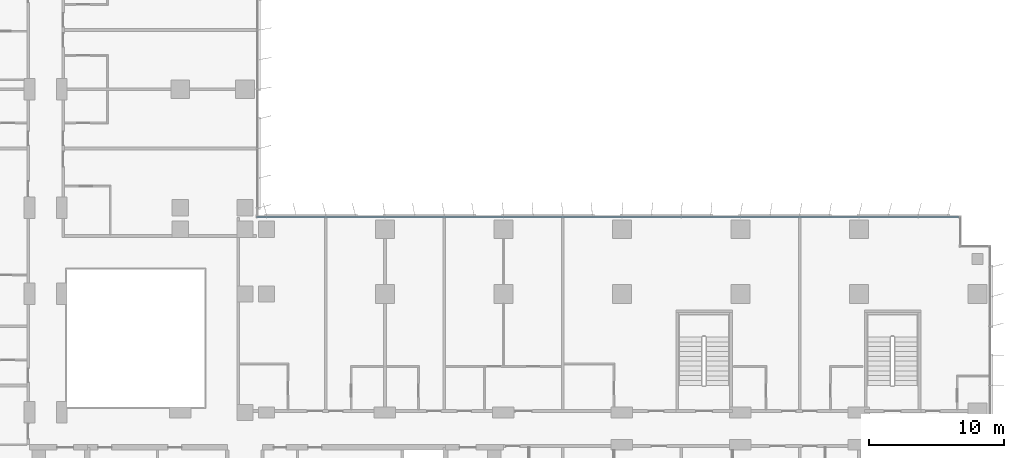
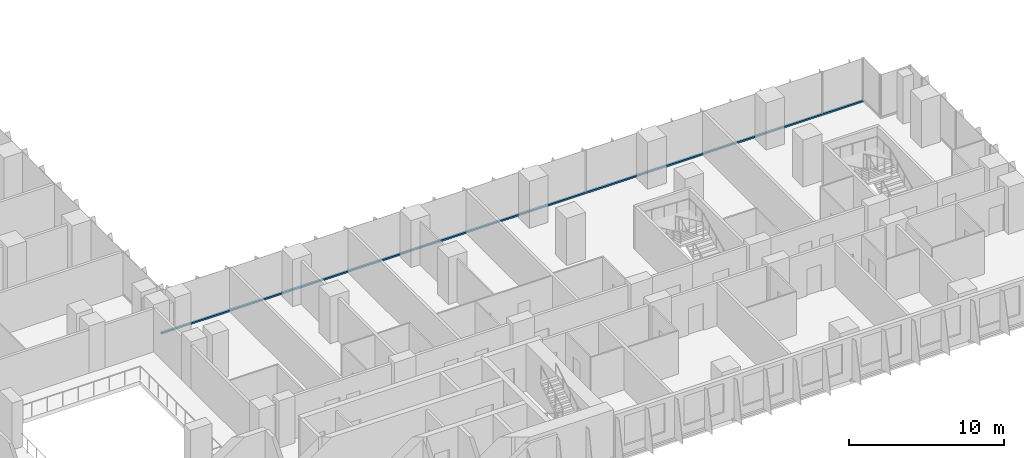
# One storey, part 3 of 24: 1 member, 1 element without a shape of its own.
"""IFC4 building model written with IfcOpenShell, lengths in metres."""

from ifc_helpers import new_model, si_unit, direction, frame, origin, origin_2d, place, context, subcontext, project, spatial, rectangle, extrude, material, material_profile, profile_set, type_object, element, aggregate, save


model = new_model("IFC4")

# Units and contexts
model_context = context("Model", 3, precision=1e-05, world=origin(), true_north=direction((0.0, 1.0)))
body_context = subcontext(model_context, "Body", "Model", "MODEL_VIEW")
ifc_project = project(units=[si_unit("LENGTHUNIT", "METRE"), si_unit("AREAUNIT", "SQUARE_METRE"), si_unit("VOLUMEUNIT", "CUBIC_METRE"), si_unit("PLANEANGLEUNIT", "RADIAN"), si_unit("MASSUNIT", "GRAM", prefix="KILO")], contexts=[model_context])

# Site, building, storey
site_placement = place(None, origin())
site = spatial("IfcSite", under=ifc_project, at=site_placement, CompositionType="ELEMENT")
building_placement = place(site_placement, origin())
building = spatial("IfcBuilding", under=site, at=building_placement, Name="Kemantara Hotel Tower", CompositionType="ELEMENT")
storey_placement = place(building_placement, frame((0.0, 0.0, 59.89990234375)))
storey = spatial("IfcBuildingStorey", under=building, at=storey_placement, Name="L13", CompositionType="ELEMENT", Elevation=59.89990234375)

# Curtain wall, member
ifc_material_1 = material(Name="Low-E tinted double insulated glass 36 mm", Category="glass")
curtain_wall_type = type_object("IfcCurtainWallType", Name="TOWER CURTAIN WALL, FRONT FACES", PredefinedType="USERDEFINED", material=ifc_material_1)
curtain_wall_placement = place(storey_placement, origin())
curtain_wall = element("IfcCurtainWall", 1, at=curtain_wall_placement, inside=storey, type_object=curtain_wall_type, Name="CW4 L13 T1-R07-1", ObjectType="TOWER CURTAIN WALL, FRONT FACES", PredefinedType="USERDEFINED")
ifc_material_2 = material(Name="Aluminium 6063-T6 bronze anodised", Category="aluminium")
ifc_material_profile = material_profile(ifc_material_2, rectangle(XDim=0.14990234375, YDim=0.1201171875, at=origin_2d()), Name="TOWER CURTAIN WALL, FRONT FACES TRANSOM")
ifc_profile_set = profile_set([ifc_material_profile], Name="Aluminium 6063-T6 bronze anodised")
member_type = type_object("IfcMemberType", Name="TOWER CURTAIN WALL, FRONT FACES TRANSOM", PredefinedType="USERDEFINED", material=ifc_profile_set)
member_placement = place(storey_placement, frame((78.85009765625, 26.72509765625, 0.06005859375), z_axis=(-1.0, 0.0, 0.0), x_axis=(0.0, -1.0, 0.0)))
member = element("IfcMember", 2, at=member_placement, type_object=member_type, Name="CW4 sill transom T1-R07-1", ObjectType="TRANSOM", PredefinedType="USERDEFINED", context=body_context, shape_type="SweptSolid", body=[
    extrude(rectangle(XDim=0.14990234375, YDim=0.1201171875, at=origin_2d()), origin(), (0.0, 0.0, 1.0), 52.2001953125),
])
aggregate(curtain_wall, [member])

save(model, "model.ifc")
